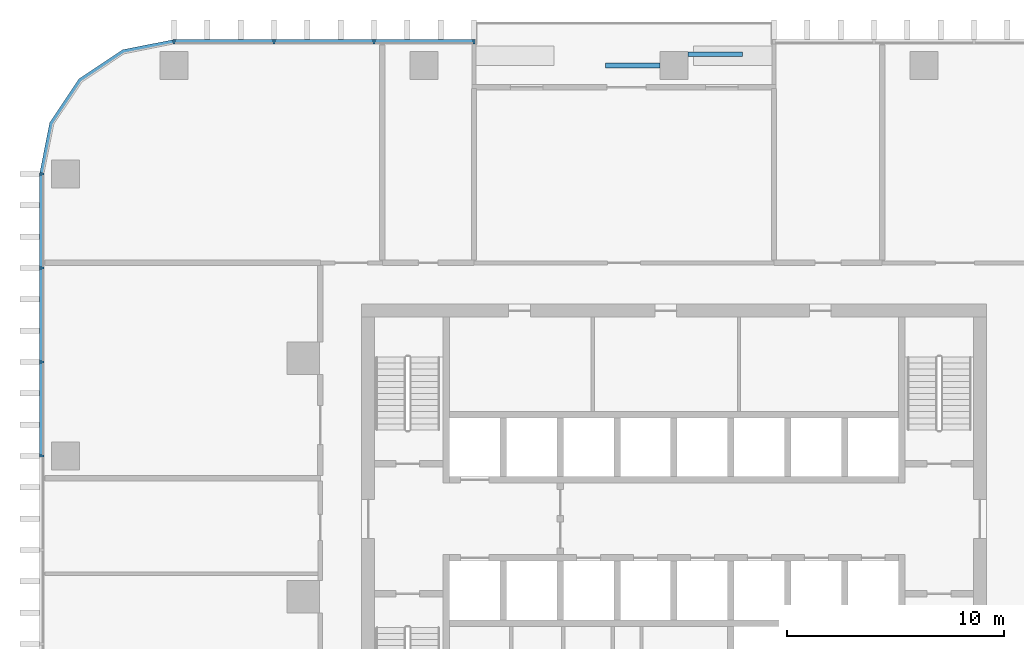
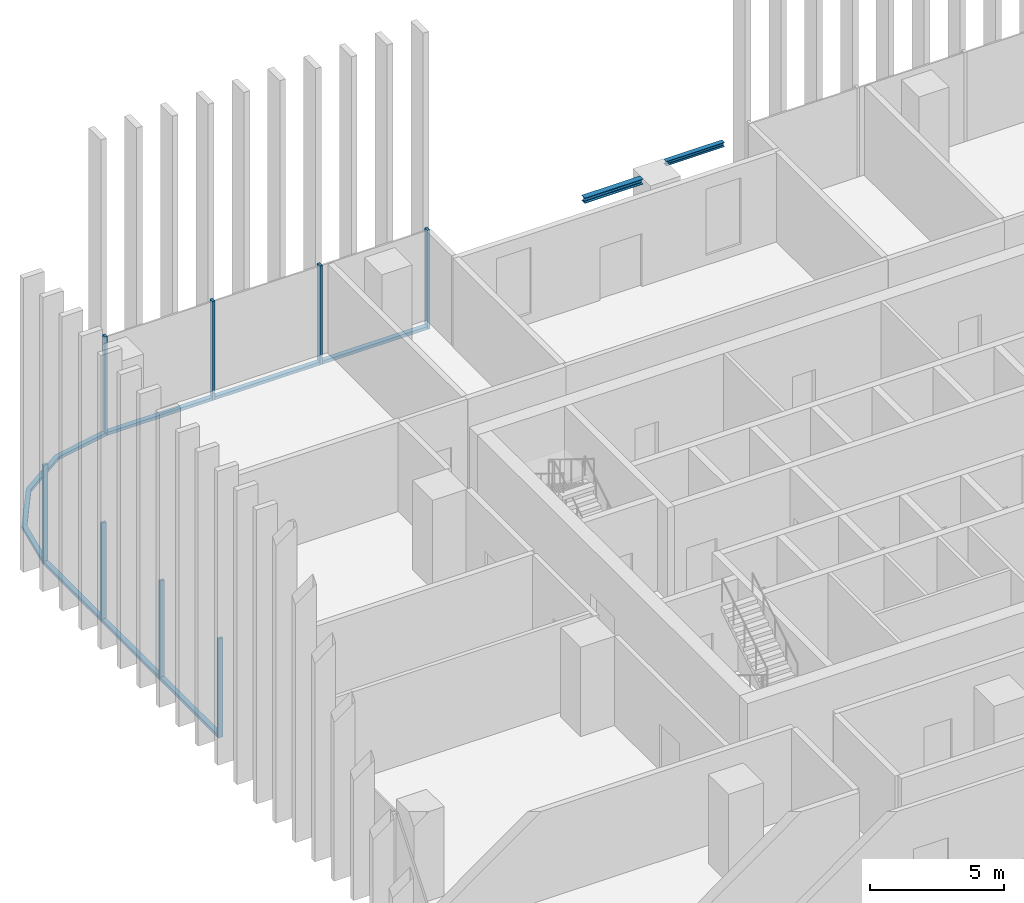
# One storey, part 4 of 17: 15 members, 2 beams, 3 elements without a shape of their own.
"""IFC4 building model written with IfcOpenShell, lengths in metres."""

import ifcopenshell
import ifcopenshell.guid

model = None  # the IFC model being written
_history = None  # IfcOwnerHistory: only IFC2X3 demands one
_inside = {}  # id of a spatial element -> (the spatial element, [elements in it])
_under = {}  # id of a project, library or spatial element -> (it, [spatial elements below it])
_declared = {}  # id of a project -> (the project, [libraries it declares])
_typed = {}  # id of a type object -> (the type object, [elements of that type])
_made_of = {}  # id of a material, layer set ... -> (it, [elements and type objects made of it])


def new_model(schema):
    """Start an empty IFC model of exactly this schema.

    Asked for "IFC4X3", IfcOpenShell would pick the latest addendum, in which some entities
    have other attributes; the version numbers below select the first issue.
    IFC2X3 requires an IfcOwnerHistory on every rooted entity: one is made here for all.
    """
    global model, _history
    if schema == "IFC4X3":
        model = ifcopenshell.file(schema_version=(4, 3, 0, 0))
    else:
        model = ifcopenshell.file(schema=schema)
    _inside.clear()
    _under.clear()
    _declared.clear()
    _typed.clear()
    _made_of.clear()
    _history = None
    if model.schema == "IFC2X3":
        org = make("IfcOrganization", Name="unknown")
        user = make(
            "IfcPersonAndOrganization",
            ThePerson=make("IfcPerson", FamilyName="unknown"),
            TheOrganization=org,
        )
        app = make(
            "IfcApplication",
            ApplicationDeveloper=org,
            Version="unknown",
            ApplicationFullName="unknown",
            ApplicationIdentifier="unknown",
        )
        _history = make(
            "IfcOwnerHistory",
            OwningUser=user,
            OwningApplication=app,
            ChangeAction="ADDED",
            CreationDate=0,
        )
    return model


def make(cls, **values):
    """One entity of the class cls with the attributes given. An attribute that is None is left unset."""
    return model.create_entity(
        cls, **{name: value for name, value in values.items() if value is not None}
    )


def rooted(cls, **values):
    """An entity with a GlobalId (a new one), such as an element, a storey or a relation."""
    return make(cls, GlobalId=ifcopenshell.guid.new(), OwnerHistory=_history, **values)


def si_unit(unit_type, name, prefix=None):
    """IfcSIUnit, for example si_unit("LENGTHUNIT", "METRE", prefix="MILLI")."""
    return make("IfcSIUnit", UnitType=unit_type, Prefix=prefix, Name=name)


def assignment(units):
    """IfcUnitAssignment: the units of a project."""
    return None if units is None else make("IfcUnitAssignment", Units=units)


def point(xyz):
    """IfcCartesianPoint."""
    return None if xyz is None else make("IfcCartesianPoint", Coordinates=xyz)


def direction(xyz):
    """IfcDirection."""
    return None if xyz is None else make("IfcDirection", DirectionRatios=xyz)


def frame(location, z_axis=None, x_axis=None):
    """IfcAxis2Placement3D, a coordinate frame: its origin and axes. An axis left out is left unset."""
    return make(
        "IfcAxis2Placement3D",
        Location=point(location),
        Axis=direction(z_axis),
        RefDirection=direction(x_axis),
    )


def frame_2d(location, x_axis=None):
    """IfcAxis2Placement2D, a coordinate frame in the plane: its origin and x axis."""
    return make(
        "IfcAxis2Placement2D", Location=point(location), RefDirection=direction(x_axis)
    )


def origin():
    """The frame at (0, 0, 0) with its axes left unset."""
    return frame((0.0, 0.0, 0.0))


def origin_2d():
    """The frame at (0, 0) in the plane with its x axis left unset."""
    return frame_2d((0.0, 0.0))


def place(relative_to, where):
    """IfcLocalPlacement: puts the frame where relative to a parent placement (None: the world)."""
    return make(
        "IfcLocalPlacement", PlacementRelTo=relative_to, RelativePlacement=where
    )


def context(
    kind, dimensions, precision=None, world=None, true_north=None, identifier=None
):
    """IfcGeometricRepresentationContext, for example the 3D "Model" context."""
    return make(
        "IfcGeometricRepresentationContext",
        ContextIdentifier=identifier,
        ContextType=kind,
        CoordinateSpaceDimension=dimensions,
        Precision=precision,
        WorldCoordinateSystem=world,
        TrueNorth=true_north,
    )


def subcontext(parent, identifier, kind, view, scale=None):
    """IfcGeometricRepresentationSubContext, for example "Body" below "Model"."""
    return make(
        "IfcGeometricRepresentationSubContext",
        ContextIdentifier=identifier,
        ContextType=kind,
        ParentContext=parent,
        TargetScale=scale,
        TargetView=view,
    )


def project(units=None, contexts=None):
    """IfcProject with its units and contexts."""
    return rooted(
        "IfcProject",
        Name="project",
        RepresentationContexts=contexts,
        UnitsInContext=assignment(units),
    )


def spatial(cls, under=None, at=None, **own):
    """A site, building, storey or space (cls), placed at a placement, below another one or the project."""
    s = rooted(cls, ObjectPlacement=at, **own)
    if under is not None:
        _under.setdefault(under.id(), (under, []))[1].append(s)
    return s


def polyline(points):
    """IfcPolyline through the points."""
    return make("IfcPolyline", Points=[point(p) for p in points])


def profile(cls, at=None, kind="AREA", **sizes):
    """A parametric profile (cls). Its sizes go by their IFC names, for example OverallWidth=200.0."""
    return make(cls, ProfileType=kind, Position=at, **sizes)


def rectangle(**sizes):
    """IfcRectangleProfileDef."""
    return profile("IfcRectangleProfileDef", **sizes)


def i_section(**sizes):
    """IfcIShapeProfileDef."""
    return profile("IfcIShapeProfileDef", **sizes)


def outline(outer, holes=None, kind="AREA"):
    """IfcArbitraryClosedProfileDef: a profile drawn as a closed curve; with holes, ...WithVoids."""
    if holes is None:
        return make("IfcArbitraryClosedProfileDef", ProfileType=kind, OuterCurve=outer)
    return make(
        "IfcArbitraryProfileDefWithVoids",
        ProfileType=kind,
        OuterCurve=outer,
        InnerCurves=holes,
    )


def extrude(swept, where, along, depth):
    """IfcExtrudedAreaSolid: the profile swept, set in the frame where, extruded along a direction by depth."""
    return make(
        "IfcExtrudedAreaSolid",
        SweptArea=swept,
        Position=where,
        ExtrudedDirection=direction(along),
        Depth=depth,
    )


def shape(context_of_items, identifier, shape_type, items):
    """IfcShapeRepresentation: the items that make up one representation, for example the "Body"."""
    return make(
        "IfcShapeRepresentation",
        ContextOfItems=context_of_items,
        RepresentationIdentifier=identifier,
        RepresentationType=shape_type,
        Items=items,
    )


def material(Name=None, Category=None):
    """IfcMaterial."""
    return make("IfcMaterial", Name=Name, Category=Category)


def material_profile(
    of_material, cross_section, Name=None, Category=None, Priority=None
):
    """IfcMaterialProfile: a cross section and its material."""
    return make(
        "IfcMaterialProfile",
        Name=Name,
        Material=of_material,
        Profile=cross_section,
        Priority=Priority,
        Category=Category,
    )


def profile_set(profiles, Name=None, composite=None):
    """IfcMaterialProfileSet."""
    return make(
        "IfcMaterialProfileSet",
        Name=Name,
        MaterialProfiles=profiles,
        CompositeProfile=composite,
    )


def made_of(thing, what):
    """Note that an element or type object is made of a material, layer set ...; save() writes the relation."""
    if what is not None:
        _made_of.setdefault(what.id(), (what, []))[1].append(thing)
    return thing


def type_object(cls, material=None, **own):
    """A type object (cls), such as IfcWallType, which elements share."""
    return made_of(rooted(cls, **own), material)


def element(
    cls,
    number,
    at=None,
    inside=None,
    cuts=None,
    type_object=None,
    material=None,
    context=None,
    identifier="Body",
    shape_type=None,
    held_by="IfcProductDefinitionShape",
    body=None,
    shapes=None,
    **own,
):
    """One element of the class cls, such as IfcWall. Its Tag is "e" and its number.

    at: its placement. inside: the storey or other place that contains it. cuts: it is an
    opening in that element (IfcRelVoidsElement). A single representation is given by context,
    identifier, shape_type and body (its items); several are given by shapes. held_by: the class
    of the entity that holds the representations. save() writes the other relations.
    """
    e = rooted(cls, Tag="e%d" % number, ObjectPlacement=at, **own)
    if body is not None:
        shapes = [shape(context, identifier, shape_type, body)]
    if shapes is not None:
        e.Representation = make(held_by, Representations=shapes)
    if inside is not None:
        _inside.setdefault(inside.id(), (inside, []))[1].append(e)
    if cuts is not None:
        rooted(
            "IfcRelVoidsElement", RelatingBuildingElement=cuts, RelatedOpeningElement=e
        )
    if type_object is not None:
        _typed.setdefault(type_object.id(), (type_object, []))[1].append(e)
    return made_of(e, material)


def aggregate(whole, parts):
    """IfcRelAggregates: a whole, such as a stair, and the parts it consists of."""
    return rooted("IfcRelAggregates", RelatingObject=whole, RelatedObjects=parts)


def save(model, path):
    """Write the relations noted so far, then the file.

    IfcRelAggregates (storeys below a building ...), IfcRelContainedInSpatialStructure (elements
    in a storey), IfcRelDefinesByType, IfcRelAssociatesMaterial and IfcRelDeclares: one each for
    every whole, place, type object, material and project.
    """
    for whole, parts in _under.values():
        aggregate(whole, parts)
    for where, things in _inside.values():
        rooted(
            "IfcRelContainedInSpatialStructure",
            RelatedElements=things,
            RelatingStructure=where,
        )
    for kind, things in _typed.values():
        rooted("IfcRelDefinesByType", RelatedObjects=things, RelatingType=kind)
    for what, things in _made_of.values():
        rooted("IfcRelAssociatesMaterial", RelatedObjects=things, RelatingMaterial=what)
    for by, libraries in _declared.values():
        rooted("IfcRelDeclares", RelatingContext=by, RelatedDefinitions=libraries)
    model.write(path)


model = new_model("IFC4")

# Units and contexts
model_context = context("Model", 3, precision=1e-05, world=origin(), true_north=direction((0.0, 1.0)))
body_context = subcontext(model_context, "Body", "Model", "MODEL_VIEW")
ifc_project = project(units=[si_unit("LENGTHUNIT", "METRE"), si_unit("AREAUNIT", "SQUARE_METRE"), si_unit("VOLUMEUNIT", "CUBIC_METRE"), si_unit("PLANEANGLEUNIT", "RADIAN"), si_unit("MASSUNIT", "GRAM", prefix="KILO")], contexts=[model_context])

# Site, building, storey
site_placement = place(None, origin())
site = spatial("IfcSite", under=ifc_project, at=site_placement, CompositionType="ELEMENT")
building_placement = place(site_placement, origin())
building = spatial("IfcBuilding", under=site, at=building_placement, Name="Mopane Tessera Tower", CompositionType="ELEMENT")
storey_placement = place(building_placement, frame((0.0, 0.0, 135.10009765625)))
storey = spatial("IfcBuildingStorey", under=building, at=storey_placement, Name="L27", CompositionType="ELEMENT", Elevation=135.10009765625)

# Curtain wall, members
ifc_material_1 = material(Name="Aluminium frame", Category="aluminium")
curtain_wall_type = type_object("IfcCurtainWallType", Name="Lower tower unitised wall", PredefinedType="NOTDEFINED", material=ifc_material_1)
curtain_wall_1_placement = place(storey_placement, origin())
curtain_wall_1 = element("IfcCurtainWall", 1, at=curtain_wall_1_placement, inside=storey, type_object=curtain_wall_type, Name="e:cw:L27:N:7", PredefinedType="NOTDEFINED")
ifc_material_2 = material(Name="Aluminium frame", Category="aluminium")
ifc_material_profile_1 = material_profile(ifc_material_2, rectangle(XDim=0.110107421875, YDim=0.199951171875, at=origin_2d()))
ifc_profile_set_1 = profile_set([ifc_material_profile_1], Name="Aluminium frame")
member_type_1 = type_object("IfcMemberType", Name="Aluminium mullion 110 x 200", PredefinedType="MULLION", material=ifc_profile_set_1)
member_1_placement = place(storey_placement, frame((-9.219970703125, 25.60009765625, -0.4501953125), z_axis=(0.0, 0.0, 1.0), x_axis=(-1.0, 0.0, 0.0)))
member_1 = element("IfcMember", 2, at=member_1_placement, type_object=member_type_1, Name="e:cw:L27:N:7:mu7", PredefinedType="MULLION", context=body_context, shape_type="SweptSolid", body=[
    extrude(rectangle(XDim=0.110107421875, YDim=0.199951171875, at=origin_2d()), origin(), (0.0, 0.0, 1.0), 4.5),
])
member_2_placement = place(storey_placement, frame((-13.830078125, 25.60009765625, -0.4501953125), z_axis=(0.0, 0.0, 1.0), x_axis=(-1.0, 0.0, 0.0)))
member_2 = element("IfcMember", 3, at=member_2_placement, type_object=member_type_1, Name="e:cw:L27:N:7:mu8", PredefinedType="MULLION", context=body_context, shape_type="SweptSolid", body=[
    extrude(rectangle(XDim=0.110107421875, YDim=0.199951171875, at=origin_2d()), origin(), (0.0, 0.0, 1.0), 4.5),
])
member_3_placement = place(storey_placement, frame((-18.43994140625, 25.60009765625, -0.4501953125), z_axis=(0.0, 0.0, 1.0), x_axis=(-1.0, 0.0, 0.0)))
member_3 = element("IfcMember", 4, at=member_3_placement, type_object=member_type_1, Name="e:cw:L27:N:7:mu9", PredefinedType="MULLION", context=body_context, shape_type="SweptSolid", body=[
    extrude(rectangle(XDim=0.110107421875, YDim=0.199951171875, at=origin_2d()), origin(), (0.0, 0.0, 1.0), 4.5),
])
member_4_placement = place(storey_placement, frame((-23.050048828125, 25.60009765625, -0.4501953125), z_axis=(0.0, 0.0, 1.0), x_axis=(-1.0, 0.0, 0.0)))
member_4 = element("IfcMember", 5, at=member_4_placement, type_object=member_type_1, Name="e:cw:L27:N:7:mu10", PredefinedType="MULLION", context=body_context, shape_type="SweptSolid", body=[
    extrude(rectangle(XDim=0.110107421875, YDim=0.199951171875, at=origin_2d()), origin(), (0.0, 0.0, 1.0), 4.5),
])

curtain_wall_2_placement = place(storey_placement, origin())
curtain_wall_2 = element("IfcCurtainWall", 6, at=curtain_wall_2_placement, inside=storey, type_object=curtain_wall_type, Name="e:cw:L27:W:0", PredefinedType="NOTDEFINED")
member_5_placement = place(storey_placement, frame((-29.14990234375, 19.5, -0.4501953125), z_axis=(0.0, 0.0, 1.0), x_axis=(0.0, -1.0, 0.0)))
member_5 = element("IfcMember", 7, at=member_5_placement, type_object=member_type_1, Name="e:cw:L27:W:0:mu0", PredefinedType="MULLION", context=body_context, shape_type="SweptSolid", body=[
    extrude(rectangle(XDim=0.110107421875, YDim=0.199951171875, at=origin_2d()), origin(), (0.0, 0.0, 1.0), 4.5),
])
member_6_placement = place(storey_placement, frame((-29.14990234375, 15.166748046875, -0.4501953125), z_axis=(0.0, 0.0, 1.0), x_axis=(0.0, -1.0, 0.0)))
member_6 = element("IfcMember", 8, at=member_6_placement, type_object=member_type_1, Name="e:cw:L27:W:0:mu1", PredefinedType="MULLION", context=body_context, shape_type="SweptSolid", body=[
    extrude(rectangle(XDim=0.110107421875, YDim=0.199951171875, at=origin_2d()), origin(), (0.0, 0.0, 1.0), 4.5),
])
member_7_placement = place(storey_placement, frame((-29.14990234375, 10.833251953125, -0.4501953125), z_axis=(0.0, 0.0, 1.0), x_axis=(0.0, -1.0, 0.0)))
member_7 = element("IfcMember", 9, at=member_7_placement, type_object=member_type_1, Name="e:cw:L27:W:0:mu2", PredefinedType="MULLION", context=body_context, shape_type="SweptSolid", body=[
    extrude(rectangle(XDim=0.110107421875, YDim=0.199951171875, at=origin_2d()), origin(), (0.0, 0.0, 1.0), 4.5),
])
member_8_placement = place(storey_placement, frame((-29.14990234375, 6.5, -0.4501953125), z_axis=(0.0, 0.0, 1.0), x_axis=(0.0, -1.0, 0.0)))
member_8 = element("IfcMember", 10, at=member_8_placement, type_object=member_type_1, Name="e:cw:L27:W:0:mu3", PredefinedType="MULLION", context=body_context, shape_type="SweptSolid", body=[
    extrude(rectangle(XDim=0.110107421875, YDim=0.199951171875, at=origin_2d()), origin(), (0.0, 0.0, 1.0), 4.5),
])

# Member
ifc_material_3 = material(Name="Aluminium frame", Category="aluminium")
ifc_material_profile_2 = material_profile(ifc_material_3, rectangle(XDim=0.199951171875, YDim=0.139892578125, at=origin_2d()))
ifc_profile_set_2 = profile_set([ifc_material_profile_2], Name="Aluminium frame")
member_type_2 = type_object("IfcMemberType", Name="Aluminium transom 200 x 140", PredefinedType="USERDEFINED", material=ifc_profile_set_2)
member_9_placement = place(storey_placement, frame((-9.27490234375, 25.60009765625, -0.380126953125), z_axis=(-1.0, 0.0, 0.0), x_axis=(0.0, -1.0, 0.0)))
member_9 = element("IfcMember", 11, at=member_9_placement, type_object=member_type_2, Name="e:cw:L27:N:7:tr7", ObjectType="TRANSOM", PredefinedType="USERDEFINED", context=body_context, shape_type="SweptSolid", body=[
    extrude(rectangle(XDim=0.199951171875, YDim=0.139892578125, at=origin_2d()), origin(), (0.0, 0.0, 1.0), 4.5),
])

member_10_placement = place(storey_placement, frame((-13.885009765625, 25.60009765625, -0.380126953125), z_axis=(-1.0, 0.0, 0.0), x_axis=(0.0, -1.0, 0.0)))
member_10 = element("IfcMember", 12, at=member_10_placement, type_object=member_type_2, Name="e:cw:L27:N:7:tr8", ObjectType="TRANSOM", PredefinedType="USERDEFINED", context=body_context, shape_type="SweptSolid", body=[
    extrude(rectangle(XDim=0.199951171875, YDim=0.139892578125, at=origin_2d()), origin(), (0.0, 0.0, 1.0), 4.5),
])

member_11_placement = place(storey_placement, frame((-18.4951171875, 25.60009765625, -0.380126953125), z_axis=(-1.0, 0.0, 0.0), x_axis=(0.0, -1.0, 0.0)))
member_11 = element("IfcMember", 13, at=member_11_placement, type_object=member_type_2, Name="e:cw:L27:N:7:tr9", ObjectType="TRANSOM", PredefinedType="USERDEFINED", context=body_context, shape_type="SweptSolid", body=[
    extrude(rectangle(XDim=0.199951171875, YDim=0.139892578125, at=origin_2d()), origin(), (0.0, 0.0, 1.0), 4.5),
])

aggregate(curtain_wall_1, [member_1, member_2, member_3, member_4, member_9, member_10, member_11])

# Curtain wall, member
curtain_wall_3_placement = place(storey_placement, origin())
curtain_wall_3 = element("IfcCurtainWall", 14, at=curtain_wall_3_placement, inside=storey, type_object=curtain_wall_type, Name="e:cw:L27:CN", PredefinedType="NOTDEFINED")
member_12_placement = place(storey_placement, frame((0.0, 0.0, -0.4501953125)))
member_12 = element("IfcMember", 15, at=member_12_placement, type_object=member_type_2, Name="e:cw:L27:CN:tr", ObjectType="TRANSOM", PredefinedType="USERDEFINED", context=body_context, shape_type="SweptSolid", body=[
    extrude(outline(polyline([(-23.050048828125, 25.5), (-25.34619140625, 25.043212890625), (-27.292724609375, 23.74267578125), (-28.59326171875, 21.796142578125), (-29.050048828125, 19.5), (-29.25, 19.5), (-28.778076171875, 21.87255859375), (-27.43408203125, 23.884033203125), (-25.422607421875, 25.22802734375), (-23.050048828125, 25.699951171875), (-23.050048828125, 25.5)])), origin(), (0.0, 0.0, 1.0), 0.14013671875),
])
aggregate(curtain_wall_3, [member_12])

# Member
member_13_placement = place(storey_placement, frame((-29.14990234375, 19.445068359375, -0.380126953125), z_axis=(0.0, -1.0, 0.0), x_axis=(1.0, 0.0, 0.0)))
member_13 = element("IfcMember", 16, at=member_13_placement, type_object=member_type_2, Name="e:cw:L27:W:0:tr0", ObjectType="TRANSOM", PredefinedType="USERDEFINED", context=body_context, shape_type="SweptSolid", body=[
    extrude(rectangle(XDim=0.199951171875, YDim=0.139892578125, at=origin_2d()), origin(), (0.0, 0.0, 1.0), 4.223388671875),
])

member_14_placement = place(storey_placement, frame((-29.14990234375, 15.111572265625, -0.380126953125), z_axis=(0.0, -1.0, 0.0), x_axis=(1.0, 0.0, 0.0)))
member_14 = element("IfcMember", 17, at=member_14_placement, type_object=member_type_2, Name="e:cw:L27:W:0:tr1", ObjectType="TRANSOM", PredefinedType="USERDEFINED", context=body_context, shape_type="SweptSolid", body=[
    extrude(rectangle(XDim=0.199951171875, YDim=0.139892578125, at=origin_2d()), origin(), (0.0, 0.0, 1.0), 4.22314453125),
])

member_15_placement = place(storey_placement, frame((-29.14990234375, 10.7783203125, -0.380126953125), z_axis=(0.0, -1.0, 0.0), x_axis=(1.0, 0.0, 0.0)))
member_15 = element("IfcMember", 18, at=member_15_placement, type_object=member_type_2, Name="e:cw:L27:W:0:tr2", ObjectType="TRANSOM", PredefinedType="USERDEFINED", context=body_context, shape_type="SweptSolid", body=[
    extrude(rectangle(XDim=0.199951171875, YDim=0.139892578125, at=origin_2d()), origin(), (0.0, 0.0, 1.0), 4.223388671875),
])

aggregate(curtain_wall_2, [member_5, member_6, member_7, member_8, member_13, member_14, member_15])

# Beams
ifc_material_4 = material(Name="Structural steel S460", Category="steel")
ifc_material_profile_3 = material_profile(ifc_material_4, i_section(OverallWidth=0.239990234375, OverallDepth=0.239990234375, WebThickness=0.010009765625, FlangeThickness=0.01708984375, FilletRadius=0.02099609375, at=origin_2d()))
ifc_profile_set_3 = profile_set([ifc_material_profile_3], Name="Structural steel S460")
beam_type_1 = type_object("IfcBeamType", Name="Terrace spandrel beam HE 240 B", PredefinedType="SPANDREL", material=ifc_profile_set_3)
beam_1_placement = place(storey_placement, frame((-0.653076171875, 24.5, 3.929931640625), z_axis=(-1.0, 0.0, 0.0), x_axis=(0.0, -1.0, 0.0)))
element("IfcBeam", 19, at=beam_1_placement, inside=storey, type_object=beam_type_1, Name="Terrace spandrel beam N1 L28", PredefinedType="SPANDREL", context=body_context, shape_type="SweptSolid", body=[
    extrude(i_section(OverallWidth=0.239990234375, OverallDepth=0.239990234375, WebThickness=0.010009765625, FlangeThickness=0.01708984375, FilletRadius=0.02099609375, at=origin_2d()), origin(), (0.0, 0.0, 1.0), 2.5),
])
ifc_material_5 = material(Name="Structural steel S460", Category="steel")
ifc_material_profile_4 = material_profile(ifc_material_5, i_section(OverallWidth=0.199951171875, OverallDepth=0.199951171875, WebThickness=0.009033203125, FlangeThickness=0.014892578125, FilletRadius=0.01806640625, at=origin_2d()))
ifc_profile_set_4 = profile_set([ifc_material_profile_4], Name="Structural steel S460")
beam_type_2 = type_object("IfcBeamType", Name="Terrace trimmer beam HE 200 B", PredefinedType="BEAM", material=ifc_profile_set_4)
beam_2_placement = place(storey_placement, frame((0.653076171875, 25.02001953125, 3.949951171875), z_axis=(1.0, 0.0, 0.0), x_axis=(0.0, 1.0, 0.0)))
element("IfcBeam", 20, at=beam_2_placement, inside=storey, type_object=beam_type_2, Name="Terrace trimmer beam N1 L28", PredefinedType="BEAM", context=body_context, shape_type="SweptSolid", body=[
    extrude(i_section(OverallWidth=0.199951171875, OverallDepth=0.199951171875, WebThickness=0.009033203125, FlangeThickness=0.014892578125, FilletRadius=0.01806640625, at=origin_2d()), origin(), (0.0, 0.0, 1.0), 2.5),
])

save(model, "model.ifc")
